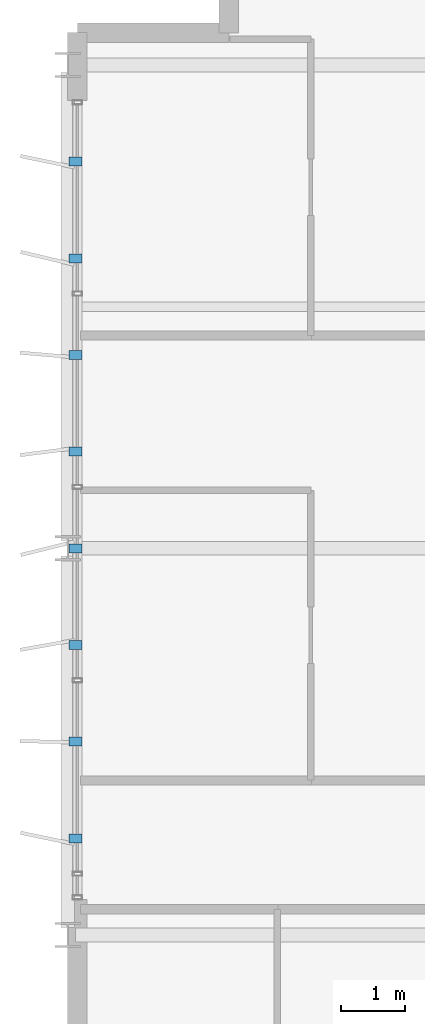
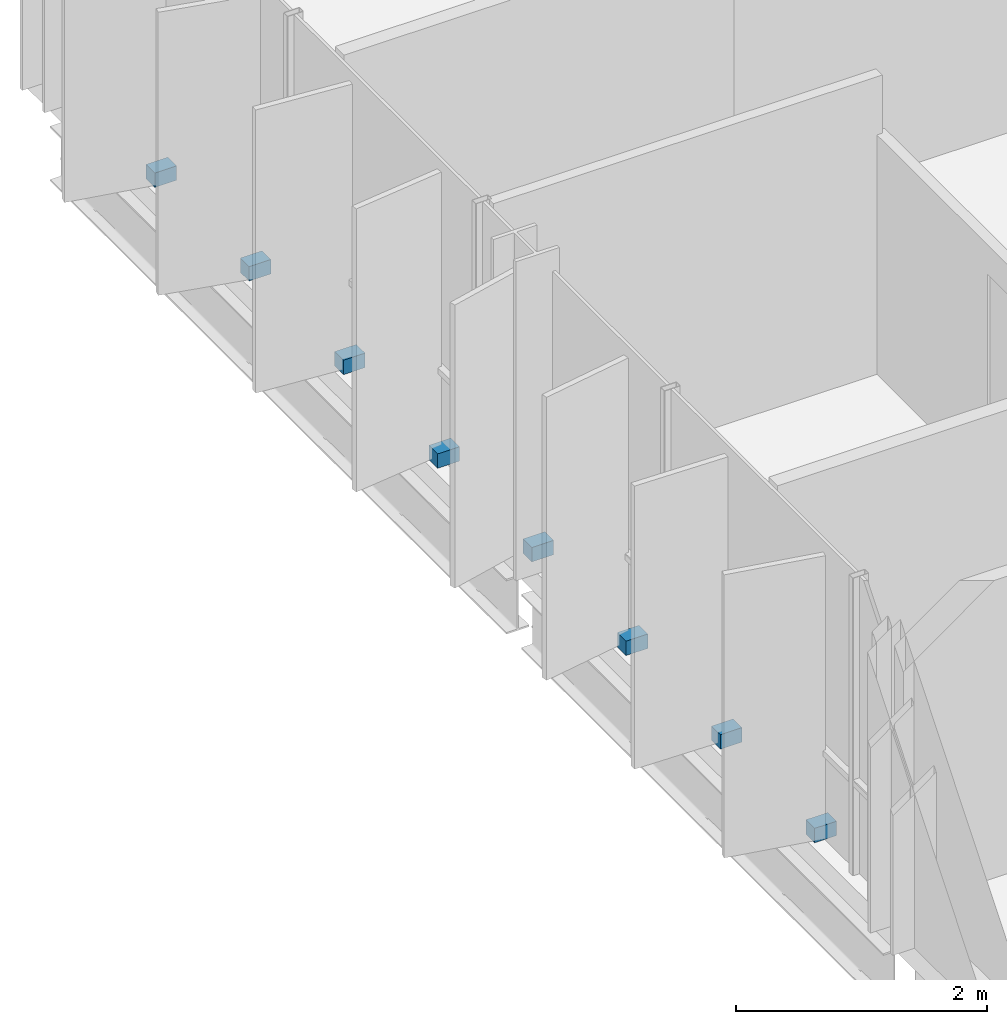
# One storey, part 26 of 29: 8 discrete accessories.
"""IFC4 building model written with IfcOpenShell, lengths in metres."""

from ifc_helpers import new_model, si_unit, direction, frame, origin, origin_2d, place, context, subcontext, project, spatial, rectangle, extrude, material, type_object, element, save


model = new_model("IFC4")

# Units and contexts
model_context = context("Model", 3, precision=1e-05, world=origin(), true_north=direction((0.0, 1.0)))
body_context = subcontext(model_context, "Body", "Model", "MODEL_VIEW")
ifc_project = project(units=[si_unit("LENGTHUNIT", "METRE"), si_unit("AREAUNIT", "SQUARE_METRE"), si_unit("VOLUMEUNIT", "CUBIC_METRE"), si_unit("PLANEANGLEUNIT", "RADIAN"), si_unit("MASSUNIT", "GRAM", prefix="KILO")], contexts=[model_context])

# Site, building, storey
site_placement = place(None, origin())
site = spatial("IfcSite", under=ifc_project, at=site_placement, CompositionType="ELEMENT")
building_placement = place(site_placement, origin())
building = spatial("IfcBuilding", under=site, at=building_placement, Name="Brevholm Reach", CompositionType="ELEMENT")
storey_placement = place(building_placement, frame((0.0, 0.0, 198.699951171875)))
storey = spatial("IfcBuildingStorey", under=building, at=storey_placement, Name="L60", CompositionType="ELEMENT", Elevation=198.699951171875)

# Discrete accessories
ifc_material = material(Name="Duplex Stainless Steel EN 1.4462", Category="steel")
discrete_accessory_type = type_object("IfcDiscreteAccessoryType", Name="ACC-BRK-01", PredefinedType="BRACKET", material=ifc_material)
for number, where, z_axis, x_axis, name in (
    (1, (0.1201171875, 11.5, 0.0302734375), (0.0, 0.0, 1.0), (-1.0, 0.0, 0.0), "L60 Solar Screen Support Bracket 1"),
    (2, (0.1201171875, 13.0, 0.0302734375), (0.0, 0.0, 1.0), (-1.0, 0.0, 0.0), "L60 Solar Screen Support Bracket 2"),
    (3, (0.1201171875, 14.5, 0.0302734375), (0.0, 0.0, 1.0), (-1.0, 0.0, 0.0), "L60 Solar Screen Support Bracket 3"),
    (4, (0.1201171875, 16.0, 0.0302734375), (0.0, 0.0, 1.0), (-1.0, 0.0, 0.0), "L60 Solar Screen Support Bracket 4"),
    (5, (0.1201171875, 17.5, 0.0302734375), (0.0, 0.0, 1.0), (-1.0, 0.0, 0.0), "L60 Solar Screen Support Bracket 5"),
    (6, (0.1201171875, 19.0, 0.0302734375), (0.0, 0.0, 1.0), (-1.0, 0.0, 0.0), "L60 Solar Screen Support Bracket 6"),
    (7, (0.1201171875, 20.5, 0.0302734375), (0.0, 0.0, 1.0), (-1.0, 0.0, 0.0), "L60 Solar Screen Support Bracket 7"),
    (8, (0.1201171875, 22.0, 0.0302734375), (0.0, 0.0, 1.0), (-1.0, 0.0, 0.0), "L60 Solar Screen Support Bracket 8"),
):
    element("IfcDiscreteAccessory", number, at=place(storey_placement, frame(where, z_axis=z_axis, x_axis=x_axis)), inside=storey, type_object=discrete_accessory_type, Name=name, PredefinedType="BRACKET", context=body_context, shape_type="SweptSolid", body=[
        extrude(rectangle(XDim=0.199951171875, YDim=0.139892578125, at=origin_2d()), origin(), (0.0, 0.0, 1.0), 0.139892578125),
    ])

save(model, "model.ifc")
